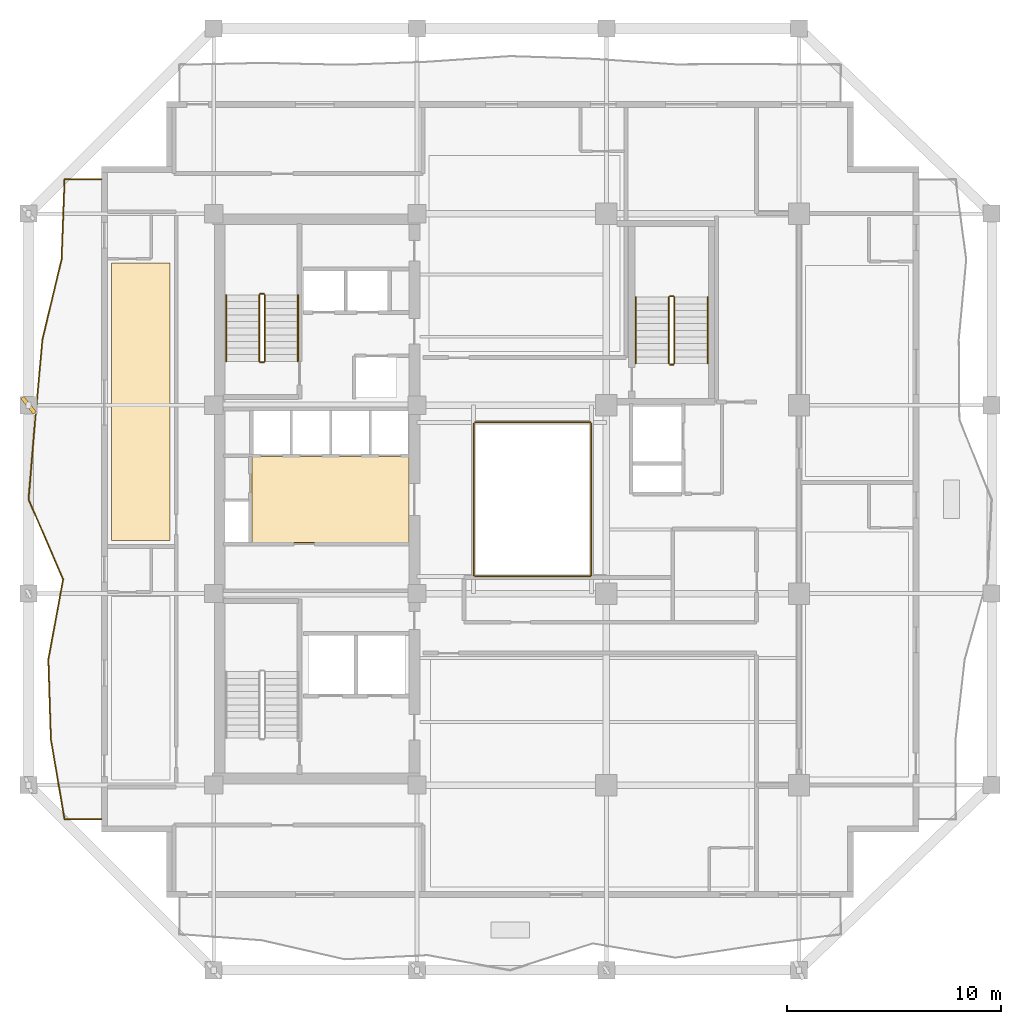
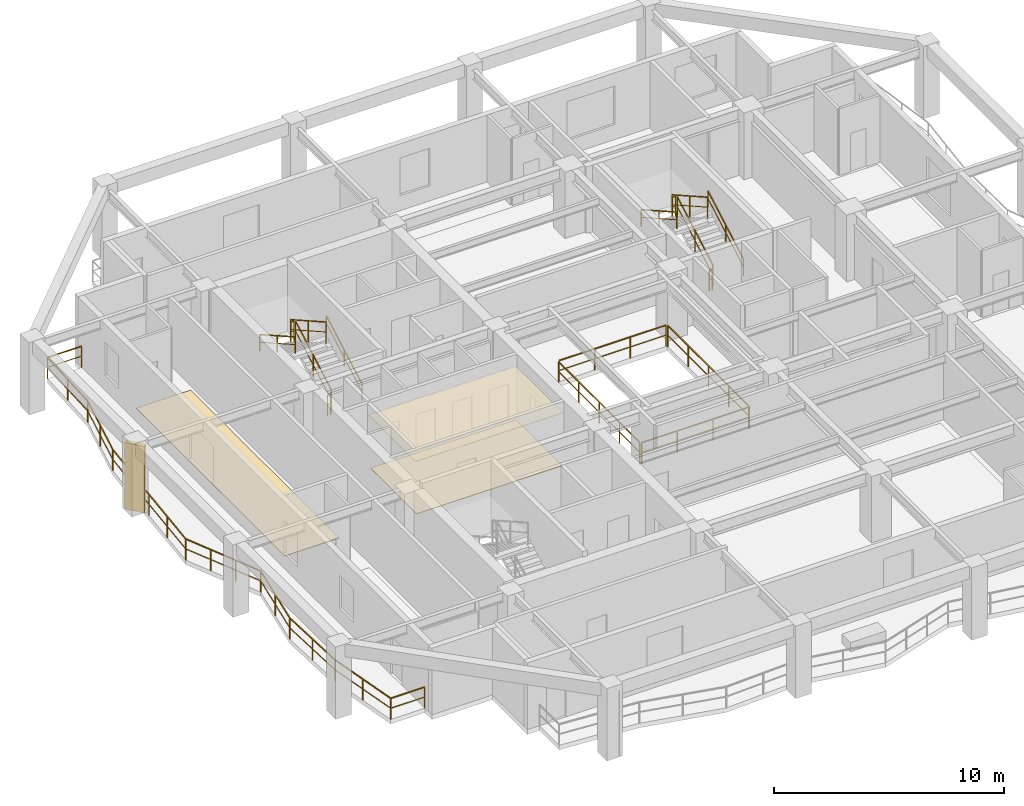
# One storey, part 8 of 10: 17 railings, 3 coverings, 1 shading device.
"""IFC4 building model written with IfcOpenShell, lengths in metres."""

from ifc_helpers import new_model, si_unit, direction, frame, origin, origin_2d, place, context, subcontext, project, spatial, polyline, rectangle, outline, extrude, material, layer, layer_set, type_object, element, save


model = new_model("IFC4")

# Units and contexts
model_context = context("Model", 3, precision=1e-05, world=origin(), true_north=direction((0.0, 1.0)))
body_context = subcontext(model_context, "Body", "Model", "MODEL_VIEW")
ifc_project = project(units=[si_unit("LENGTHUNIT", "METRE"), si_unit("AREAUNIT", "SQUARE_METRE"), si_unit("VOLUMEUNIT", "CUBIC_METRE"), si_unit("PLANEANGLEUNIT", "RADIAN"), si_unit("MASSUNIT", "GRAM", prefix="KILO")], contexts=[model_context])

# Site, building, storey
site_placement = place(None, origin())
site = spatial("IfcSite", under=ifc_project, at=site_placement, CompositionType="ELEMENT")
building_placement = place(site_placement, origin())
building = spatial("IfcBuilding", under=site, at=building_placement, Name="Kundavana Baori Tower", CompositionType="ELEMENT")
storey_placement = place(building_placement, frame((0.0, 0.0, 150.199951171875)))
storey = spatial("IfcBuildingStorey", under=building, at=storey_placement, Name="L36", CompositionType="ELEMENT", Elevation=150.199951171875)

# Coverings
ifc_material_1 = material(Name="Perforated Acoustic Mineral Fibre Ceiling Board")
ifc_layer_1 = layer(ifc_material_1, 0.02490234375, Name="COV-INT-CEIL")
ifc_layer_set_1 = layer_set([ifc_layer_1], Name="Perforated Acoustic Mineral Fibre Ceiling Board")
covering_type_1 = type_object("IfcCoveringType", Name="COV-INT-CEIL", PredefinedType="CEILING", material=ifc_layer_set_1)
covering_1_placement = place(storey_placement, frame((0.0, 0.0, 2.85009765625)))
element("IfcCovering", 1, at=covering_1_placement, inside=storey, type_object=covering_type_1, Name="L36 Core Lift Lobby Acoustic Ceiling", PredefinedType="CEILING", context=body_context, shape_type="SweptSolid", body=[
    extrude(outline(polyline([(17.159912109375, 26.52001953125), (24.580078125, 26.52001953125), (24.580078125, 30.639892578125), (17.159912109375, 30.639892578125), (17.159912109375, 26.52001953125)])), origin(), (0.0, 0.0, 1.0), 0.02490234375),
])
ifc_material_2 = material(Name="Honed Kota Stone and Terrazzo Flooring", Category="masonry")
ifc_layer_2 = layer(ifc_material_2, 0.030029296875, Name="COV-INT-FLR")
ifc_layer_set_2 = layer_set([ifc_layer_2], Name="Honed Kota Stone and Terrazzo Flooring")
covering_type_2 = type_object("IfcCoveringType", Name="COV-INT-FLR", PredefinedType="FLOORING", material=ifc_layer_set_2)
covering_2_placement = place(storey_placement, origin())
element("IfcCovering", 2, at=covering_2_placement, inside=storey, type_object=covering_type_2, Name="L36 Room Finished Stone Flooring 2", PredefinedType="FLOORING", context=body_context, shape_type="SweptSolid", body=[
    extrude(outline(polyline([(10.679931640625, 26.679931640625), (13.419921875, 26.679931640625), (13.419921875, 39.64990234375), (10.679931640625, 39.64990234375), (10.679931640625, 26.679931640625)])), origin(), (0.0, 0.0, 1.0), 0.030029296875),
])
covering_3_placement = place(storey_placement, origin())
element("IfcCovering", 3, at=covering_3_placement, inside=storey, type_object=covering_type_2, Name="L36 Core Lift Lobby Kota Stone Flooring", PredefinedType="FLOORING", context=body_context, shape_type="SweptSolid", body=[
    extrude(outline(polyline([(17.25, 26.580078125), (24.580078125, 26.580078125), (24.580078125, 30.60009765625), (17.25, 30.60009765625), (17.25, 26.580078125)])), origin(), (0.0, 0.0, 1.0), 0.030029296875),
])

# Railings
ifc_material_3 = material(Name="Architectural Patinated Bronze Metalwork")
railing_type_1 = type_object("IfcRailingType", Name="RL-BAL-1150", PredefinedType="BALUSTRADE", material=ifc_material_3)
railing_1_placement = place(storey_placement, frame((10.199951171875, 13.64990234375, 0.0)))
element("IfcRailing", 4, at=railing_1_placement, inside=storey, type_object=railing_type_1, Name="L36 Loggia Balcony Balustrade W", PredefinedType="BALUSTRADE", context=body_context, shape_type="SweptSolid", body=[
    extrude(rectangle(XDim=0.048095703125, YDim=0.048095703125, at=origin_2d()), frame((0.0, 0.0, 1.1259765625), z_axis=(-1.0, 0.0, 0.0), x_axis=(0.0, -1.0, 0.0)), (0.0, 0.0, 1.0), 1.719970703125),
    extrude(rectangle(XDim=0.03125, YDim=0.03125, at=origin_2d()), frame((0.0, 0.0, 0.597900390625), z_axis=(-1.0, 0.0, 0.0), x_axis=(0.0, -1.0, 0.0)), (0.0, 0.0, 1.0), 1.719970703125),
    extrude(rectangle(XDim=0.048095703125, YDim=0.048095703125, at=origin_2d()), frame((-1.719970703125, 0.0, 1.1259765625), z_axis=(-0.168772575076, 0.985655019721, 0.0), x_axis=(-0.985655019721, -0.168772575076, 0.0)), (0.0, 0.0, 1.0), 3.79150390625),
    extrude(rectangle(XDim=0.03125, YDim=0.03125, at=origin_2d()), frame((-1.719970703125, 0.0, 0.597900390625), z_axis=(-0.168772575076, 0.985655019721, 0.0), x_axis=(-0.985655019721, -0.168772575076, 0.0)), (0.0, 0.0, 1.0), 3.79150390625),
    extrude(rectangle(XDim=0.048095703125, YDim=0.048095703125, at=origin_2d()), frame((-2.35986328125, 3.737060546875, 1.1259765625), z_axis=(-0.031334615386, 0.999508950374, 0.0), x_axis=(-0.999508950374, -0.031334615386, 0.0)), (0.0, 0.0, 1.0), 3.739990234375),
    extrude(rectangle(XDim=0.03125, YDim=0.03125, at=origin_2d()), frame((-2.35986328125, 3.737060546875, 0.597900390625), z_axis=(-0.031334615386, 0.999508950374, 0.0), x_axis=(-0.999508950374, -0.031334615386, 0.0)), (0.0, 0.0, 1.0), 3.739990234375),
    extrude(rectangle(XDim=0.048095703125, YDim=0.048095703125, at=origin_2d()), frame((-2.47705078125, 7.47509765625, 1.1259765625), z_axis=(0.181863818535, 0.983323726709, 0.0), x_axis=(-0.983323726709, 0.181863818535, 0.0)), (0.0, 0.0, 1.0), 3.800537109375),
    extrude(rectangle(XDim=0.03125, YDim=0.03125, at=origin_2d()), frame((-2.47705078125, 7.47509765625, 0.597900390625), z_axis=(0.181863818535, 0.983323726709, 0.0), x_axis=(-0.983323726709, 0.181863818535, 0.0)), (0.0, 0.0, 1.0), 3.800537109375),
    extrude(rectangle(XDim=0.048095703125, YDim=0.048095703125, at=origin_2d()), frame((-1.785888671875, 11.212158203125, 1.1259765625), z_axis=(-0.396407301281, 0.918074752671, 0.0), x_axis=(-0.918074752671, -0.396407301281, 0.0)), (0.0, 0.0, 1.0), 4.071533203125),
    extrude(rectangle(XDim=0.03125, YDim=0.03125, at=origin_2d()), frame((-1.785888671875, 11.212158203125, 0.597900390625), z_axis=(-0.396407301281, 0.918074752671, 0.0), x_axis=(-0.918074752671, -0.396407301281, 0.0)), (0.0, 0.0, 1.0), 4.071533203125),
    extrude(rectangle(XDim=0.048095703125, YDim=0.048095703125, at=origin_2d()), frame((-3.39990234375, 14.9501953125, 1.1259765625), z_axis=(0.08210781225, 0.996623453049, 0.0), x_axis=(-0.996623453049, 0.08210781225, 0.0)), (0.0, 0.0, 1.0), 3.74951171875),
    extrude(rectangle(XDim=0.03125, YDim=0.03125, at=origin_2d()), frame((-3.39990234375, 14.9501953125, 0.597900390625), z_axis=(0.08210781225, 0.996623453049, 0.0), x_axis=(-0.996623453049, 0.08210781225, 0.0)), (0.0, 0.0, 1.0), 3.74951171875),
    extrude(rectangle(XDim=0.048095703125, YDim=0.048095703125, at=origin_2d()), frame((-3.092041015625, 18.68701171875, 1.1259765625), z_axis=(0.090090005516, 0.995933627762, 0.0), x_axis=(-0.995933627762, 0.090090005516, 0.0)), (0.0, 0.0, 1.0), 3.75341796875),
    extrude(rectangle(XDim=0.03125, YDim=0.03125, at=origin_2d()), frame((-3.092041015625, 18.68701171875, 0.597900390625), z_axis=(0.090090005516, 0.995933627762, 0.0), x_axis=(-0.995933627762, 0.090090005516, 0.0)), (0.0, 0.0, 1.0), 3.75341796875),
    extrude(rectangle(XDim=0.048095703125, YDim=0.048095703125, at=origin_2d()), frame((-2.75390625, 22.425048828125, 1.1259765625), z_axis=(0.232671201059, 0.972555454562, 0.0), x_axis=(-0.972555454562, 0.232671201059, 0.0)), (0.0, 0.0, 1.0), 3.842529296875),
    extrude(rectangle(XDim=0.03125, YDim=0.03125, at=origin_2d()), frame((-2.75390625, 22.425048828125, 0.597900390625), z_axis=(0.232671201059, 0.972555454562, 0.0), x_axis=(-0.972555454562, 0.232671201059, 0.0)), (0.0, 0.0, 1.0), 3.842529296875),
    extrude(rectangle(XDim=0.048095703125, YDim=0.048095703125, at=origin_2d()), frame((-1.85986328125, 26.162109375, 1.1259765625), z_axis=(0.037397894336, 0.999300454067, 0.0), x_axis=(-0.999300454067, 0.037397894336, 0.0)), (0.0, 0.0, 1.0), 3.74072265625),
    extrude(rectangle(XDim=0.03125, YDim=0.03125, at=origin_2d()), frame((-1.85986328125, 26.162109375, 0.597900390625), z_axis=(0.037397894336, 0.999300454067, 0.0), x_axis=(-0.999300454067, 0.037397894336, 0.0)), (0.0, 0.0, 1.0), 3.74072265625),
    extrude(rectangle(XDim=0.048095703125, YDim=0.048095703125, at=origin_2d()), frame((-1.719970703125, 29.900146484375, 1.1259765625), z_axis=(1.0, 0.0, 0.0), x_axis=(0.0, 1.0, 0.0)), (0.0, 0.0, 1.0), 1.719970703125),
    extrude(rectangle(XDim=0.03125, YDim=0.03125, at=origin_2d()), frame((-1.719970703125, 29.900146484375, 0.597900390625), z_axis=(1.0, 0.0, 0.0), x_axis=(0.0, 1.0, 0.0)), (0.0, 0.0, 1.0), 1.719970703125),
    extrude(rectangle(XDim=0.0419921875, YDim=0.0419921875, at=origin_2d()), origin(), (0.0, 0.0, 1.0), 1.101806640625),
    extrude(rectangle(XDim=0.0419921875, YDim=0.0419921875, at=origin_2d()), frame((-1.719970703125, 0.0, 0.0)), (0.0, 0.0, 1.0), 1.101806640625),
    extrude(rectangle(XDim=0.0419921875, YDim=0.0419921875, at=origin_2d()), frame((-2.0400390625, 1.86865234375, 0.0)), (0.0, 0.0, 1.0), 1.101806640625),
    extrude(rectangle(XDim=0.0419921875, YDim=0.0419921875, at=origin_2d()), frame((-2.35986328125, 3.737060546875, 0.0)), (0.0, 0.0, 1.0), 1.101806640625),
    extrude(rectangle(XDim=0.0419921875, YDim=0.0419921875, at=origin_2d()), frame((-2.41845703125, 5.60595703125, 0.0)), (0.0, 0.0, 1.0), 1.101806640625),
    extrude(rectangle(XDim=0.0419921875, YDim=0.0419921875, at=origin_2d()), frame((-2.47705078125, 7.47509765625, 0.0)), (0.0, 0.0, 1.0), 1.101806640625),
    extrude(rectangle(XDim=0.0419921875, YDim=0.0419921875, at=origin_2d()), frame((-2.13134765625, 9.34375, 0.0)), (0.0, 0.0, 1.0), 1.101806640625),
    extrude(rectangle(XDim=0.0419921875, YDim=0.0419921875, at=origin_2d()), frame((-1.785888671875, 11.212158203125, 0.0)), (0.0, 0.0, 1.0), 1.101806640625),
    extrude(rectangle(XDim=0.0419921875, YDim=0.0419921875, at=origin_2d()), frame((-2.323974609375, 12.458251953125, 0.0)), (0.0, 0.0, 1.0), 1.101806640625),
    extrude(rectangle(XDim=0.0419921875, YDim=0.0419921875, at=origin_2d()), frame((-2.86181640625, 13.7041015625, 0.0)), (0.0, 0.0, 1.0), 1.101806640625),
    extrude(rectangle(XDim=0.0419921875, YDim=0.0419921875, at=origin_2d()), frame((-3.39990234375, 14.9501953125, 0.0)), (0.0, 0.0, 1.0), 1.101806640625),
    extrude(rectangle(XDim=0.0419921875, YDim=0.0419921875, at=origin_2d()), frame((-3.24609375, 16.818603515625, 0.0)), (0.0, 0.0, 1.0), 1.101806640625),
    extrude(rectangle(XDim=0.0419921875, YDim=0.0419921875, at=origin_2d()), frame((-3.092041015625, 18.68701171875, 0.0)), (0.0, 0.0, 1.0), 1.101806640625),
    extrude(rectangle(XDim=0.0419921875, YDim=0.0419921875, at=origin_2d()), frame((-2.9228515625, 20.55615234375, 0.0)), (0.0, 0.0, 1.0), 1.101806640625),
    extrude(rectangle(XDim=0.0419921875, YDim=0.0419921875, at=origin_2d()), frame((-2.75390625, 22.425048828125, 0.0)), (0.0, 0.0, 1.0), 1.101806640625),
    extrude(rectangle(XDim=0.0419921875, YDim=0.0419921875, at=origin_2d()), frame((-2.306884765625, 24.29345703125, 0.0)), (0.0, 0.0, 1.0), 1.101806640625),
    extrude(rectangle(XDim=0.0419921875, YDim=0.0419921875, at=origin_2d()), frame((-1.85986328125, 26.162109375, 0.0)), (0.0, 0.0, 1.0), 1.101806640625),
    extrude(rectangle(XDim=0.0419921875, YDim=0.0419921875, at=origin_2d()), frame((-1.7900390625, 28.03125, 0.0)), (0.0, 0.0, 1.0), 1.101806640625),
    extrude(rectangle(XDim=0.0419921875, YDim=0.0419921875, at=origin_2d()), frame((-1.719970703125, 29.900146484375, 0.0)), (0.0, 0.0, 1.0), 1.101806640625),
    extrude(rectangle(XDim=0.0419921875, YDim=0.0419921875, at=origin_2d()), frame((0.0, 29.900146484375, 0.0)), (0.0, 0.0, 1.0), 1.101806640625),
])
ifc_material_4 = material(Name="Architectural Patinated Bronze Metalwork")
railing_type_2 = type_object("IfcRailingType", Name="RL-GRD-1150", PredefinedType="GUARDRAIL", material=ifc_material_4)
railing_2_placement = place(storey_placement, frame((17.840087890625, 35.050048828125, 0.175048828125)))
element("IfcRailing", 5, at=railing_2_placement, inside=storey, type_object=railing_type_2, Name="L36 ST2 stair guard 1", PredefinedType="GUARDRAIL", context=body_context, shape_type="SweptSolid", body=[
    extrude(rectangle(XDim=0.048095703125, YDim=0.048095703125, at=origin_2d()), frame((0.0, 0.0, 1.1259765625), z_axis=(0.0, 0.870814364268, 0.491611984175), x_axis=(-1.0, 0.0, 0.0)), (0.0, 0.0, 1.0), 3.559814453125),
    extrude(rectangle(XDim=0.03125, YDim=0.03125, at=origin_2d()), frame((0.0, 0.0, 0.597900390625), z_axis=(0.0, 0.870814364268, 0.491611984175), x_axis=(-1.0, 0.0, 0.0)), (0.0, 0.0, 1.0), 3.559814453125),
    extrude(rectangle(XDim=0.0419921875, YDim=0.0419921875, at=origin_2d()), origin(), (0.0, 0.0, 1.0), 1.101806640625),
    extrude(rectangle(XDim=0.0419921875, YDim=0.0419921875, at=origin_2d()), frame((0.0, 1.5498046875, 0.875)), (0.0, 0.0, 1.0), 1.101806640625),
    extrude(rectangle(XDim=0.0419921875, YDim=0.0419921875, at=origin_2d()), frame((0.0, 3.099853515625, 1.75)), (0.0, 0.0, 1.0), 1.101806640625),
])
railing_3_placement = place(storey_placement, frame((17.7900390625, 38.199951171875, 1.925048828125)))
element("IfcRailing", 6, at=railing_3_placement, inside=storey, type_object=railing_type_2, Name="L36 ST2 stair guard 2", PredefinedType="GUARDRAIL", context=body_context, shape_type="SweptSolid", body=[
    extrude(rectangle(XDim=0.048095703125, YDim=0.048095703125, at=origin_2d()), frame((0.0, 0.0, 1.1259765625), z_axis=(-1.0, 0.0, 0.0), x_axis=(0.0, -1.0, 0.0)), (0.0, 0.0, 1.0), 0.16015625),
    extrude(rectangle(XDim=0.03125, YDim=0.03125, at=origin_2d()), frame((0.0, 0.0, 0.597900390625), z_axis=(-1.0, 0.0, 0.0), x_axis=(0.0, -1.0, 0.0)), (0.0, 0.0, 1.0), 0.16015625),
    extrude(rectangle(XDim=0.0419921875, YDim=0.0419921875, at=origin_2d()), origin(), (0.0, 0.0, 1.0), 1.101806640625),
    extrude(rectangle(XDim=0.0419921875, YDim=0.0419921875, at=origin_2d()), frame((-0.16015625, 0.0, 0.0)), (0.0, 0.0, 1.0), 1.101806640625),
])
railing_4_placement = place(storey_placement, frame((17.580078125, 38.14990234375, 2.10009765625)))
element("IfcRailing", 7, at=railing_4_placement, inside=storey, type_object=railing_type_2, Name="L36 ST2 stair guard 3", PredefinedType="GUARDRAIL", context=body_context, shape_type="SweptSolid", body=[
    extrude(rectangle(XDim=0.048095703125, YDim=0.048095703125, at=origin_2d()), frame((0.0, 0.0, 1.1259765625), z_axis=(0.0, -0.870814364268, 0.491611984175), x_axis=(1.0, 0.0, 0.0)), (0.0, 0.0, 1.0), 3.559814453125),
    extrude(rectangle(XDim=0.03125, YDim=0.03125, at=origin_2d()), frame((0.0, 0.0, 0.597900390625), z_axis=(0.0, -0.870814364268, 0.491611984175), x_axis=(1.0, 0.0, 0.0)), (0.0, 0.0, 1.0), 3.559814453125),
    extrude(rectangle(XDim=0.0419921875, YDim=0.0419921875, at=origin_2d()), origin(), (0.0, 0.0, 1.0), 1.101806640625),
    extrude(rectangle(XDim=0.0419921875, YDim=0.0419921875, at=origin_2d()), frame((0.0, -1.5498046875, 0.875)), (0.0, 0.0, 1.0), 1.101806640625),
    extrude(rectangle(XDim=0.0419921875, YDim=0.0419921875, at=origin_2d()), frame((0.0, -3.099853515625, 1.75)), (0.0, 0.0, 1.0), 1.101806640625),
])
railing_5_placement = place(storey_placement, frame((17.7900390625, 35.0, 0.0)))
element("IfcRailing", 8, at=railing_5_placement, inside=storey, type_object=railing_type_2, Name="L36 ST2 stair guard 4", PredefinedType="GUARDRAIL", context=body_context, shape_type="SweptSolid", body=[
    extrude(rectangle(XDim=0.048095703125, YDim=0.048095703125, at=origin_2d()), frame((0.0, 0.0, 1.1259765625), z_axis=(-1.0, 0.0, 0.0), x_axis=(0.0, -1.0, 0.0)), (0.0, 0.0, 1.0), 0.16015625),
    extrude(rectangle(XDim=0.03125, YDim=0.03125, at=origin_2d()), frame((0.0, 0.0, 0.597900390625), z_axis=(-1.0, 0.0, 0.0), x_axis=(0.0, -1.0, 0.0)), (0.0, 0.0, 1.0), 0.16015625),
    extrude(rectangle(XDim=0.0419921875, YDim=0.0419921875, at=origin_2d()), origin(), (0.0, 0.0, 1.0), 1.101806640625),
    extrude(rectangle(XDim=0.0419921875, YDim=0.0419921875, at=origin_2d()), frame((-0.16015625, 0.0, 0.0)), (0.0, 0.0, 1.0), 1.101806640625),
])
railing_6_placement = place(storey_placement, frame((36.97998046875, 34.949951171875, 0.175048828125)))
element("IfcRailing", 9, at=railing_6_placement, inside=storey, type_object=railing_type_2, Name="L36 ST3 stair guard 1", PredefinedType="GUARDRAIL", context=body_context, shape_type="SweptSolid", body=[
    extrude(rectangle(XDim=0.048095703125, YDim=0.048095703125, at=origin_2d()), frame((0.0, 0.0, 1.1259765625), z_axis=(0.0, 0.870830938388, 0.491582624537), x_axis=(-1.0, 0.0, 0.0)), (0.0, 0.0, 1.0), 3.559814453125),
    extrude(rectangle(XDim=0.03125, YDim=0.03125, at=origin_2d()), frame((0.0, 0.0, 0.597900390625), z_axis=(0.0, 0.870830938388, 0.491582624537), x_axis=(-1.0, 0.0, 0.0)), (0.0, 0.0, 1.0), 3.559814453125),
    extrude(rectangle(XDim=0.0419921875, YDim=0.0419921875, at=origin_2d()), origin(), (0.0, 0.0, 1.0), 1.101806640625),
    extrude(rectangle(XDim=0.0419921875, YDim=0.0419921875, at=origin_2d()), frame((0.0, 1.550048828125, 0.875)), (0.0, 0.0, 1.0), 1.101806640625),
    extrude(rectangle(XDim=0.0419921875, YDim=0.0419921875, at=origin_2d()), frame((0.0, 3.10009765625, 1.75)), (0.0, 0.0, 1.0), 1.101806640625),
])
railing_7_placement = place(storey_placement, frame((36.929931640625, 38.10009765625, 1.925048828125)))
element("IfcRailing", 10, at=railing_7_placement, inside=storey, type_object=railing_type_2, Name="L36 ST3 stair guard 2", PredefinedType="GUARDRAIL", context=body_context, shape_type="SweptSolid", body=[
    extrude(rectangle(XDim=0.048095703125, YDim=0.048095703125, at=origin_2d()), frame((0.0, 0.0, 1.1259765625), z_axis=(-1.0, 0.0, 0.0), x_axis=(0.0, -1.0, 0.0)), (0.0, 0.0, 1.0), 0.159912109375),
    extrude(rectangle(XDim=0.03125, YDim=0.03125, at=origin_2d()), frame((0.0, 0.0, 0.597900390625), z_axis=(-1.0, 0.0, 0.0), x_axis=(0.0, -1.0, 0.0)), (0.0, 0.0, 1.0), 0.159912109375),
    extrude(rectangle(XDim=0.0419921875, YDim=0.0419921875, at=origin_2d()), origin(), (0.0, 0.0, 1.0), 1.101806640625),
    extrude(rectangle(XDim=0.0419921875, YDim=0.0419921875, at=origin_2d()), frame((-0.159912109375, 0.0, 0.0)), (0.0, 0.0, 1.0), 1.101806640625),
])
railing_8_placement = place(storey_placement, frame((36.719970703125, 38.050048828125, 2.10009765625)))
element("IfcRailing", 11, at=railing_8_placement, inside=storey, type_object=railing_type_2, Name="L36 ST3 stair guard 3", PredefinedType="GUARDRAIL", context=body_context, shape_type="SweptSolid", body=[
    extrude(rectangle(XDim=0.048095703125, YDim=0.048095703125, at=origin_2d()), frame((0.0, 0.0, 1.1259765625), z_axis=(0.0, -0.870830938388, 0.491582624537), x_axis=(1.0, 0.0, 0.0)), (0.0, 0.0, 1.0), 3.559814453125),
    extrude(rectangle(XDim=0.03125, YDim=0.03125, at=origin_2d()), frame((0.0, 0.0, 0.597900390625), z_axis=(0.0, -0.870830938388, 0.491582624537), x_axis=(1.0, 0.0, 0.0)), (0.0, 0.0, 1.0), 3.559814453125),
    extrude(rectangle(XDim=0.0419921875, YDim=0.0419921875, at=origin_2d()), origin(), (0.0, 0.0, 1.0), 1.101806640625),
    extrude(rectangle(XDim=0.0419921875, YDim=0.0419921875, at=origin_2d()), frame((0.0, -1.550048828125, 0.875)), (0.0, 0.0, 1.0), 1.101806640625),
    extrude(rectangle(XDim=0.0419921875, YDim=0.0419921875, at=origin_2d()), frame((0.0, -3.10009765625, 1.75)), (0.0, 0.0, 1.0), 1.101806640625),
])
railing_9_placement = place(storey_placement, frame((36.929931640625, 34.89990234375, 0.0)))
element("IfcRailing", 12, at=railing_9_placement, inside=storey, type_object=railing_type_2, Name="L36 ST3 stair guard 4", PredefinedType="GUARDRAIL", context=body_context, shape_type="SweptSolid", body=[
    extrude(rectangle(XDim=0.048095703125, YDim=0.048095703125, at=origin_2d()), frame((0.0, 0.0, 1.1259765625), z_axis=(-1.0, 0.0, 0.0), x_axis=(0.0, -1.0, 0.0)), (0.0, 0.0, 1.0), 0.159912109375),
    extrude(rectangle(XDim=0.03125, YDim=0.03125, at=origin_2d()), frame((0.0, 0.0, 0.597900390625), z_axis=(-1.0, 0.0, 0.0), x_axis=(0.0, -1.0, 0.0)), (0.0, 0.0, 1.0), 0.159912109375),
    extrude(rectangle(XDim=0.0419921875, YDim=0.0419921875, at=origin_2d()), origin(), (0.0, 0.0, 1.0), 1.101806640625),
    extrude(rectangle(XDim=0.0419921875, YDim=0.0419921875, at=origin_2d()), frame((-0.159912109375, 0.0, 0.0)), (0.0, 0.0, 1.0), 1.101806640625),
])
railing_10_placement = place(storey_placement, frame((27.659912109375, 25.0, 0.0)))
element("IfcRailing", 13, at=railing_10_placement, inside=storey, type_object=railing_type_2, Name="L36 Atrium Void Perimeter Guardrail S", PredefinedType="GUARDRAIL", context=body_context, shape_type="SweptSolid", body=[
    extrude(rectangle(XDim=0.048095703125, YDim=0.048095703125, at=origin_2d()), frame((0.0, 0.0, 1.1259765625), z_axis=(1.0, 0.0, 0.0), x_axis=(0.0, 1.0, 0.0)), (0.0, 0.0, 1.0), 5.380126953125),
    extrude(rectangle(XDim=0.03125, YDim=0.03125, at=origin_2d()), frame((0.0, 0.0, 0.597900390625), z_axis=(1.0, 0.0, 0.0), x_axis=(0.0, 1.0, 0.0)), (0.0, 0.0, 1.0), 5.380126953125),
    extrude(rectangle(XDim=0.0419921875, YDim=0.0419921875, at=origin_2d()), origin(), (0.0, 0.0, 1.0), 1.101806640625),
    extrude(rectangle(XDim=0.0419921875, YDim=0.0419921875, at=origin_2d()), frame((1.79345703125, 0.0, 0.0)), (0.0, 0.0, 1.0), 1.101806640625),
    extrude(rectangle(XDim=0.0419921875, YDim=0.0419921875, at=origin_2d()), frame((3.586669921875, 0.0, 0.0)), (0.0, 0.0, 1.0), 1.101806640625),
    extrude(rectangle(XDim=0.0419921875, YDim=0.0419921875, at=origin_2d()), frame((5.380126953125, 0.0, 0.0)), (0.0, 0.0, 1.0), 1.101806640625),
])
railing_11_placement = place(storey_placement, frame((33.10009765625, 25.06005859375, 0.0)))
element("IfcRailing", 14, at=railing_11_placement, inside=storey, type_object=railing_type_2, Name="L36 Atrium Void Perimeter Guardrail E", PredefinedType="GUARDRAIL", context=body_context, shape_type="SweptSolid", body=[
    extrude(rectangle(XDim=0.048095703125, YDim=0.048095703125, at=origin_2d()), frame((0.0, 0.0, 1.1259765625), z_axis=(0.0, 1.0, 0.0), x_axis=(-1.0, 0.0, 0.0)), (0.0, 0.0, 1.0), 7.079833984375),
    extrude(rectangle(XDim=0.03125, YDim=0.03125, at=origin_2d()), frame((0.0, 0.0, 0.597900390625), z_axis=(0.0, 1.0, 0.0), x_axis=(-1.0, 0.0, 0.0)), (0.0, 0.0, 1.0), 7.079833984375),
    extrude(rectangle(XDim=0.0419921875, YDim=0.0419921875, at=origin_2d()), origin(), (0.0, 0.0, 1.0), 1.101806640625),
    extrude(rectangle(XDim=0.0419921875, YDim=0.0419921875, at=origin_2d()), frame((0.0, 1.77001953125, 0.0)), (0.0, 0.0, 1.0), 1.101806640625),
    extrude(rectangle(XDim=0.0419921875, YDim=0.0419921875, at=origin_2d()), frame((0.0, 3.5400390625, 0.0)), (0.0, 0.0, 1.0), 1.101806640625),
    extrude(rectangle(XDim=0.0419921875, YDim=0.0419921875, at=origin_2d()), frame((0.0, 5.309814453125, 0.0)), (0.0, 0.0, 1.0), 1.101806640625),
    extrude(rectangle(XDim=0.0419921875, YDim=0.0419921875, at=origin_2d()), frame((0.0, 7.079833984375, 0.0)), (0.0, 0.0, 1.0), 1.101806640625),
])
railing_12_placement = place(storey_placement, frame((33.0400390625, 32.199951171875, 0.0)))
element("IfcRailing", 15, at=railing_12_placement, inside=storey, type_object=railing_type_2, Name="L36 Atrium Void Perimeter Guardrail N", PredefinedType="GUARDRAIL", context=body_context, shape_type="SweptSolid", body=[
    extrude(rectangle(XDim=0.048095703125, YDim=0.048095703125, at=origin_2d()), frame((0.0, 0.0, 1.1259765625), z_axis=(-1.0, 0.0, 0.0), x_axis=(0.0, -1.0, 0.0)), (0.0, 0.0, 1.0), 5.380126953125),
    extrude(rectangle(XDim=0.03125, YDim=0.03125, at=origin_2d()), frame((0.0, 0.0, 0.597900390625), z_axis=(-1.0, 0.0, 0.0), x_axis=(0.0, -1.0, 0.0)), (0.0, 0.0, 1.0), 5.380126953125),
    extrude(rectangle(XDim=0.0419921875, YDim=0.0419921875, at=origin_2d()), origin(), (0.0, 0.0, 1.0), 1.101806640625),
    extrude(rectangle(XDim=0.0419921875, YDim=0.0419921875, at=origin_2d()), frame((-1.79345703125, 0.0, 0.0)), (0.0, 0.0, 1.0), 1.101806640625),
    extrude(rectangle(XDim=0.0419921875, YDim=0.0419921875, at=origin_2d()), frame((-3.586669921875, 0.0, 0.0)), (0.0, 0.0, 1.0), 1.101806640625),
    extrude(rectangle(XDim=0.0419921875, YDim=0.0419921875, at=origin_2d()), frame((-5.380126953125, 0.0, 0.0)), (0.0, 0.0, 1.0), 1.101806640625),
])
railing_13_placement = place(storey_placement, frame((27.60009765625, 32.139892578125, 0.0)))
element("IfcRailing", 16, at=railing_13_placement, inside=storey, type_object=railing_type_2, Name="L36 Atrium Void Perimeter Guardrail W", PredefinedType="GUARDRAIL", context=body_context, shape_type="SweptSolid", body=[
    extrude(rectangle(XDim=0.048095703125, YDim=0.048095703125, at=origin_2d()), frame((0.0, 0.0, 1.1259765625), z_axis=(0.0, -1.0, 0.0), x_axis=(1.0, 0.0, 0.0)), (0.0, 0.0, 1.0), 7.079833984375),
    extrude(rectangle(XDim=0.03125, YDim=0.03125, at=origin_2d()), frame((0.0, 0.0, 0.597900390625), z_axis=(0.0, -1.0, 0.0), x_axis=(1.0, 0.0, 0.0)), (0.0, 0.0, 1.0), 7.079833984375),
    extrude(rectangle(XDim=0.0419921875, YDim=0.0419921875, at=origin_2d()), origin(), (0.0, 0.0, 1.0), 1.101806640625),
    extrude(rectangle(XDim=0.0419921875, YDim=0.0419921875, at=origin_2d()), frame((0.0, -1.77001953125, 0.0)), (0.0, 0.0, 1.0), 1.101806640625),
    extrude(rectangle(XDim=0.0419921875, YDim=0.0419921875, at=origin_2d()), frame((0.0, -3.5400390625, 0.0)), (0.0, 0.0, 1.0), 1.101806640625),
    extrude(rectangle(XDim=0.0419921875, YDim=0.0419921875, at=origin_2d()), frame((0.0, -5.309814453125, 0.0)), (0.0, 0.0, 1.0), 1.101806640625),
    extrude(rectangle(XDim=0.0419921875, YDim=0.0419921875, at=origin_2d()), frame((0.0, -7.079833984375, 0.0)), (0.0, 0.0, 1.0), 1.101806640625),
])
ifc_material_5 = material(Name="Architectural Patinated Bronze Metalwork")
railing_type_3 = type_object("IfcRailingType", Name="RL-HND-920", PredefinedType="HANDRAIL", material=ifc_material_5)
railing_14_placement = place(storey_placement, frame((19.389892578125, 35.050048828125, 0.175048828125)))
element("IfcRailing", 17, at=railing_14_placement, inside=storey, type_object=railing_type_3, Name="L36 ST2 stair handrail 1", PredefinedType="HANDRAIL", context=body_context, shape_type="SweptSolid", body=[
    extrude(rectangle(XDim=0.048095703125, YDim=0.048095703125, at=origin_2d()), frame((0.0, 0.0, 0.8759765625), z_axis=(0.0, 0.870814364268, 0.491611984175), x_axis=(-1.0, 0.0, 0.0)), (0.0, 0.0, 1.0), 3.559814453125),
    extrude(rectangle(XDim=0.03125, YDim=0.03125, at=origin_2d()), frame((0.0, 0.0, 0.468017578125), z_axis=(0.0, 0.870814364268, 0.491611984175), x_axis=(-1.0, 0.0, 0.0)), (0.0, 0.0, 1.0), 3.559814453125),
    extrude(rectangle(XDim=0.0419921875, YDim=0.0419921875, at=origin_2d()), origin(), (0.0, 0.0, 1.0), 0.851806640625),
    extrude(rectangle(XDim=0.0419921875, YDim=0.0419921875, at=origin_2d()), frame((0.0, 1.5498046875, 0.875)), (0.0, 0.0, 1.0), 0.851806640625),
    extrude(rectangle(XDim=0.0419921875, YDim=0.0419921875, at=origin_2d()), frame((0.0, 3.099853515625, 1.75)), (0.0, 0.0, 1.0), 0.851806640625),
])
railing_15_placement = place(storey_placement, frame((16.030029296875, 38.14990234375, 2.10009765625)))
element("IfcRailing", 18, at=railing_15_placement, inside=storey, type_object=railing_type_3, Name="L36 ST2 stair handrail 2", PredefinedType="HANDRAIL", context=body_context, shape_type="SweptSolid", body=[
    extrude(rectangle(XDim=0.048095703125, YDim=0.048095703125, at=origin_2d()), frame((0.0, 0.0, 0.8759765625), z_axis=(0.0, -0.870814364268, 0.491611984175), x_axis=(1.0, 0.0, 0.0)), (0.0, 0.0, 1.0), 3.559814453125),
    extrude(rectangle(XDim=0.03125, YDim=0.03125, at=origin_2d()), frame((0.0, 0.0, 0.468017578125), z_axis=(0.0, -0.870814364268, 0.491611984175), x_axis=(1.0, 0.0, 0.0)), (0.0, 0.0, 1.0), 3.559814453125),
    extrude(rectangle(XDim=0.0419921875, YDim=0.0419921875, at=origin_2d()), origin(), (0.0, 0.0, 1.0), 0.851806640625),
    extrude(rectangle(XDim=0.0419921875, YDim=0.0419921875, at=origin_2d()), frame((0.0, -1.5498046875, 0.875)), (0.0, 0.0, 1.0), 0.851806640625),
    extrude(rectangle(XDim=0.0419921875, YDim=0.0419921875, at=origin_2d()), frame((0.0, -3.099853515625, 1.75)), (0.0, 0.0, 1.0), 0.851806640625),
])
railing_16_placement = place(storey_placement, frame((38.530029296875, 34.949951171875, 0.175048828125)))
element("IfcRailing", 19, at=railing_16_placement, inside=storey, type_object=railing_type_3, Name="L36 ST3 stair handrail 1", PredefinedType="HANDRAIL", context=body_context, shape_type="SweptSolid", body=[
    extrude(rectangle(XDim=0.048095703125, YDim=0.048095703125, at=origin_2d()), frame((0.0, 0.0, 0.8759765625), z_axis=(0.0, 0.870830938388, 0.491582624537), x_axis=(-1.0, 0.0, 0.0)), (0.0, 0.0, 1.0), 3.559814453125),
    extrude(rectangle(XDim=0.03125, YDim=0.03125, at=origin_2d()), frame((0.0, 0.0, 0.468017578125), z_axis=(0.0, 0.870830938388, 0.491582624537), x_axis=(-1.0, 0.0, 0.0)), (0.0, 0.0, 1.0), 3.559814453125),
    extrude(rectangle(XDim=0.0419921875, YDim=0.0419921875, at=origin_2d()), origin(), (0.0, 0.0, 1.0), 0.851806640625),
    extrude(rectangle(XDim=0.0419921875, YDim=0.0419921875, at=origin_2d()), frame((0.0, 1.550048828125, 0.875)), (0.0, 0.0, 1.0), 0.851806640625),
    extrude(rectangle(XDim=0.0419921875, YDim=0.0419921875, at=origin_2d()), frame((0.0, 3.10009765625, 1.75)), (0.0, 0.0, 1.0), 0.851806640625),
])
railing_17_placement = place(storey_placement, frame((35.169921875, 38.050048828125, 2.10009765625)))
element("IfcRailing", 20, at=railing_17_placement, inside=storey, type_object=railing_type_3, Name="L36 ST3 stair handrail 2", PredefinedType="HANDRAIL", context=body_context, shape_type="SweptSolid", body=[
    extrude(rectangle(XDim=0.048095703125, YDim=0.048095703125, at=origin_2d()), frame((0.0, 0.0, 0.8759765625), z_axis=(0.0, -0.870830938388, 0.491582624537), x_axis=(1.0, 0.0, 0.0)), (0.0, 0.0, 1.0), 3.559814453125),
    extrude(rectangle(XDim=0.03125, YDim=0.03125, at=origin_2d()), frame((0.0, 0.0, 0.468017578125), z_axis=(0.0, -0.870830938388, 0.491582624537), x_axis=(1.0, 0.0, 0.0)), (0.0, 0.0, 1.0), 3.559814453125),
    extrude(rectangle(XDim=0.0419921875, YDim=0.0419921875, at=origin_2d()), origin(), (0.0, 0.0, 1.0), 0.851806640625),
    extrude(rectangle(XDim=0.0419921875, YDim=0.0419921875, at=origin_2d()), frame((0.0, -1.550048828125, 0.875)), (0.0, 0.0, 1.0), 0.851806640625),
    extrude(rectangle(XDim=0.0419921875, YDim=0.0419921875, at=origin_2d()), frame((0.0, -3.10009765625, 1.75)), (0.0, 0.0, 1.0), 0.851806640625),
])

# Shading device
ifc_material_6 = material(Name="Red-Buff Dholpur Sandstone Cladding on Concrete C40/50", Category="masonry")
shading_device_type = type_object("IfcShadingDeviceType", Name="SHD-FIN-920", PredefinedType="JALOUSIE", material=ifc_material_6)
shading_device_placement = place(storey_placement, frame((6.800048828125, 33.0, 0.0), z_axis=(0.0, 0.0, 1.0), x_axis=(0.779119191464, 0.626875813454, 0.0)))
element("IfcShadingDevice", 21, at=shading_device_placement, inside=storey, type_object=shading_device_type, Name="L36 Sweeping Dholpur Sandstone Facade Fin 7", PredefinedType="JALOUSIE", context=body_context, shape_type="SweptSolid", body=[
    extrude(rectangle(XDim=0.179931640625, YDim=0.919921875, at=origin_2d()), origin(), (0.0, 0.0, 1.0), 3.550048828125),
])

save(model, "model.ifc")
